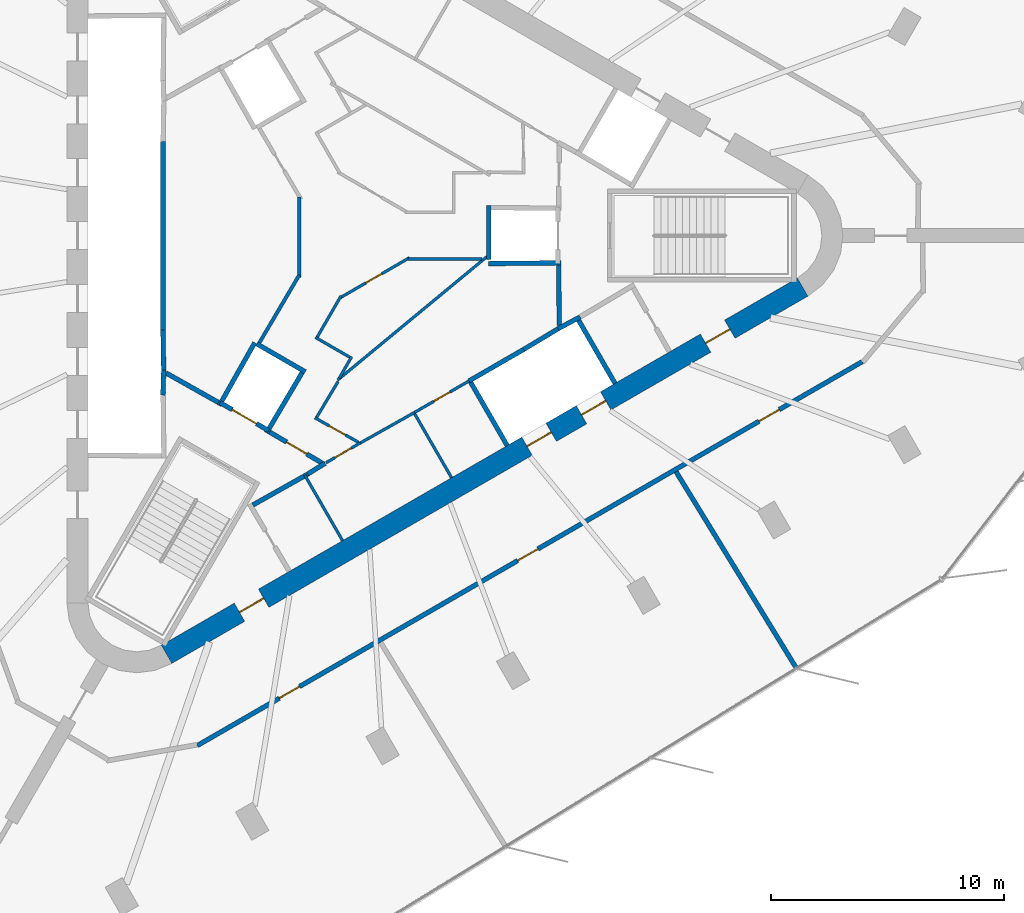
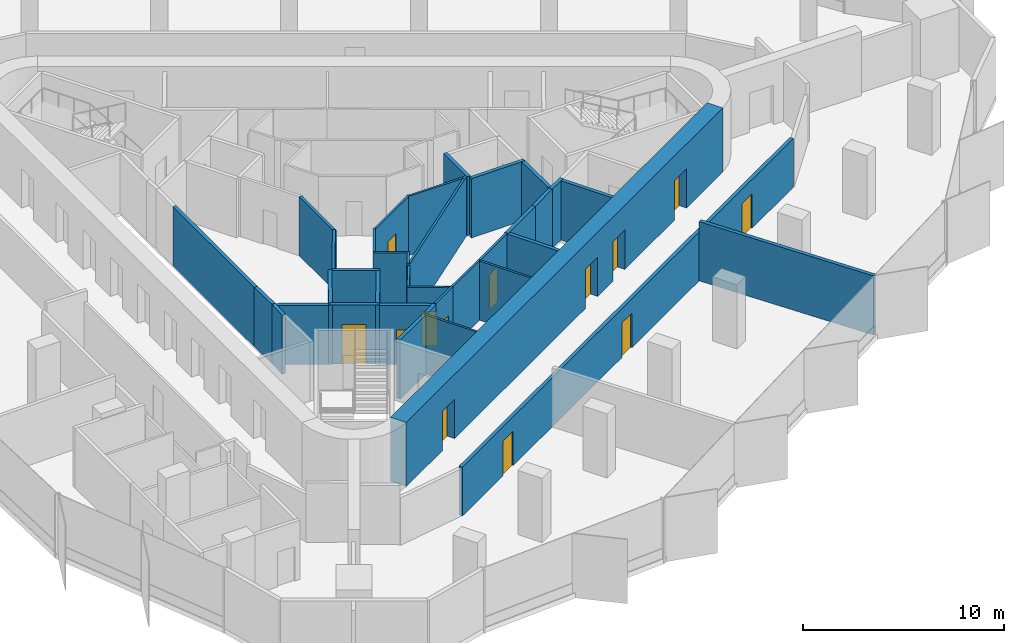
# One storey, part 8 of 12: 37 walls, 13 doors, 13 openings.
"""IFC4 building model written with IfcOpenShell, lengths in metres."""

from ifc_helpers import new_model, si_unit, direction, frame, frame_2d, origin, place, context, subcontext, project, spatial, rectangle, extrude, material, layer, layer_set, type_object, element, fill, save


model = new_model("IFC4")

# Units and contexts
model_context = context("Model", 3, precision=1e-05, world=origin(), true_north=direction((0.0, 1.0)))
body_context = subcontext(model_context, "Body", "Model", "MODEL_VIEW")
ifc_project = project(units=[si_unit("LENGTHUNIT", "METRE"), si_unit("AREAUNIT", "SQUARE_METRE"), si_unit("VOLUMEUNIT", "CUBIC_METRE"), si_unit("PLANEANGLEUNIT", "RADIAN"), si_unit("MASSUNIT", "GRAM", prefix="KILO")], contexts=[model_context])

# Site, building, storey
site_placement = place(None, origin())
site = spatial("IfcSite", under=ifc_project, at=site_placement, CompositionType="ELEMENT")
building_placement = place(site_placement, origin())
building = spatial("IfcBuilding", under=site, at=building_placement, Name="Tanit Gate Tower", CompositionType="ELEMENT")
storey_placement = place(building_placement, frame((0.0, 0.0, 353.300048828125)))
storey = spatial("IfcBuildingStorey", under=building, at=storey_placement, Name="L80", CompositionType="ELEMENT", Elevation=353.300048828125)

# Wall, openings, doors
ifc_material_1 = material(Name="Concrete C40/50", Category="concrete")
ifc_layer_1 = layer(ifc_material_1, 0.89990234375)
ifc_layer_set_1 = layer_set([ifc_layer_1], Name="CORE WALL 900 C40/50")
wall_type_1 = type_object("IfcWallType", Name="CORE WALL 900 C40/50", PredefinedType="SHEAR", material=ifc_layer_set_1)
wall_1_placement = place(storey_placement, frame((-7.824951171875, -17.969970703125, 0.0), z_axis=(0.0, 0.0, 1.0), x_axis=(0.866028369851, 0.499994862586, 0.0)))
wall_1 = element("IfcWall", 1, at=wall_1_placement, inside=storey, type_object=wall_type_1, Name="CORE WALL", PredefinedType="SHEAR", context=body_context, shape_type="SweptSolid", body=[
    extrude(rectangle(XDim=31.523193359375, YDim=0.89990234375, at=frame_2d((15.76171875, 0.0))), origin(), (0.0, 0.0, 1.0), 3.89990234375),
])
opening_1_placement = place(wall_1_placement, frame((17.861572265625, 0.0, 0.0)))
opening_1 = element("IfcOpeningElement", 2, at=opening_1_placement, cuts=wall_1, Name="Opening LDSV1-S22", PredefinedType="OPENING", context=body_context, shape_type="SweptSolid", body=[
    extrude(rectangle(XDim=1.199951171875, YDim=2.39990234375, at=frame_2d((0.60009765625, 1.199951171875))), frame((0.0, 0.4599609375, 0.0), z_axis=(0.0, -1.0, 0.0), x_axis=(1.0, 0.0, 0.0)), (0.0, 0.0, 1.0), 0.919921875),
])
opening_2_placement = place(wall_1_placement, frame((20.561767578125, 0.0, 0.0)))
opening_2 = element("IfcOpeningElement", 3, at=opening_2_placement, cuts=wall_1, Name="Opening LDSV2-S22", PredefinedType="OPENING", context=body_context, shape_type="SweptSolid", body=[
    extrude(rectangle(XDim=1.199951171875, YDim=2.39990234375, at=frame_2d((0.60009765625, 1.199951171875))), frame((0.0, 0.4599609375, 0.0), z_axis=(0.0, -1.0, 0.0), x_axis=(1.0, 0.0, 0.0)), (0.0, 0.0, 1.0), 0.919921875),
])
opening_3_placement = place(wall_1_placement, frame((26.711669921875, 0.0, 0.0)))
opening_3 = element("IfcOpeningElement", 4, at=opening_3_placement, cuts=wall_1, Name="Opening F12-S22-S1", PredefinedType="OPENING", context=body_context, shape_type="SweptSolid", body=[
    extrude(rectangle(XDim=1.199951171875, YDim=2.39990234375, at=frame_2d((0.60009765625, 1.199951171875))), frame((0.0, 0.4599609375, 0.0), z_axis=(0.0, -1.0, 0.0), x_axis=(1.0, 0.0, 0.0)), (0.0, 0.0, 1.0), 0.919921875),
])
opening_4_placement = place(wall_1_placement, frame((3.611572265625, 0.0, 0.0)))
opening_4 = element("IfcOpeningElement", 5, at=opening_4_placement, cuts=wall_1, Name="Opening F12-S22-FL3", PredefinedType="OPENING", context=body_context, shape_type="SweptSolid", body=[
    extrude(rectangle(XDim=1.199951171875, YDim=2.39990234375, at=frame_2d((0.60009765625, 1.199951171875))), frame((0.0, 0.4599609375, 0.0), z_axis=(0.0, -1.0, 0.0), x_axis=(1.0, 0.0, 0.0)), (0.0, 0.0, 1.0), 0.919921875),
])
ifc_material_2 = material(Name="Fire-rated steel door leaf", Category="steel")
door_type_1 = type_object("IfcDoorType", Name="INT-DOOR-FIRE-LOBBY-1200", OperationType="NOTDEFINED", PredefinedType="USERDEFINED", material=ifc_material_2)
door_1_placement = place(opening_3_placement, origin())
door_1 = element("IfcDoor", 6, at=door_1_placement, inside=storey, type_object=door_type_1, Name="Door F12-S22-S1", ObjectType="FIRE DOOR", OperationType="SINGLE_SWING_RIGHT", OverallHeight=2.39990234375, OverallWidth=1.199951171875, PredefinedType="USERDEFINED", context=body_context, shape_type="SweptSolid", body=[
    extrude(rectangle(XDim=1.199951171875, YDim=2.39990234375, at=frame_2d((0.60009765625, 1.199951171875))), frame((0.0, 0.02490234375, 0.0), z_axis=(0.0, -1.0, 0.0), x_axis=(1.0, 0.0, 0.0)), (0.0, 0.0, 1.0), 0.050048828125),
])
fill(opening_3, door_1)
door_2_placement = place(opening_4_placement, origin())
door_2 = element("IfcDoor", 7, at=door_2_placement, inside=storey, type_object=door_type_1, Name="Door F12-S22-FL3", ObjectType="FIRE DOOR", OperationType="SINGLE_SWING_LEFT", OverallHeight=2.39990234375, OverallWidth=1.199951171875, PredefinedType="USERDEFINED", context=body_context, shape_type="SweptSolid", body=[
    extrude(rectangle(XDim=1.199951171875, YDim=2.39990234375, at=frame_2d((0.60009765625, 1.199951171875))), frame((0.0, 0.02490234375, 0.0), z_axis=(0.0, -1.0, 0.0), x_axis=(1.0, 0.0, 0.0)), (0.0, 0.0, 1.0), 0.050048828125),
])
fill(opening_4, door_2)
ifc_material_3 = material(Name="Stainless steel sliding door leaf", Category="steel")
door_type_2 = type_object("IfcDoorType", Name="INT-DOOR-LANDING-1200", OperationType="NOTDEFINED", PredefinedType="USERDEFINED", material=ifc_material_3)
door_3_placement = place(opening_1_placement, origin())
door_3 = element("IfcDoor", 8, at=door_3_placement, inside=storey, type_object=door_type_2, Name="Door LDSV1-S22", ObjectType="LANDING DOOR", OperationType="SLIDING_TO_LEFT", OverallHeight=2.39990234375, OverallWidth=1.199951171875, PredefinedType="USERDEFINED", context=body_context, shape_type="SweptSolid", body=[
    extrude(rectangle(XDim=1.199951171875, YDim=2.39990234375, at=frame_2d((0.60009765625, 1.199951171875))), frame((0.0, 0.02490234375, 0.0), z_axis=(0.0, -1.0, 0.0), x_axis=(1.0, 0.0, 0.0)), (0.0, 0.0, 1.0), 0.050048828125),
])
fill(opening_1, door_3)
door_4_placement = place(opening_2_placement, origin())
door_4 = element("IfcDoor", 9, at=door_4_placement, inside=storey, type_object=door_type_2, Name="Door LDSV2-S22", ObjectType="LANDING DOOR", OperationType="SLIDING_TO_LEFT", OverallHeight=2.39990234375, OverallWidth=1.199951171875, PredefinedType="USERDEFINED", context=body_context, shape_type="SweptSolid", body=[
    extrude(rectangle(XDim=1.199951171875, YDim=2.39990234375, at=frame_2d((0.60009765625, 1.199951171875))), frame((0.0, 0.02490234375, 0.0), z_axis=(0.0, -1.0, 0.0), x_axis=(1.0, 0.0, 0.0)), (0.0, 0.0, 1.0), 0.050048828125),
])
fill(opening_2, door_4)

# Walls
ifc_material_4 = material(Name="Fire-rated gypsum board partition")
ifc_layer_2 = layer(ifc_material_4, 0.199951171875)
ifc_layer_set_2 = layer_set([ifc_layer_2], Name="INT-WALL-COMPARTMENT")
wall_type_2 = type_object("IfcWallType", Name="INT-WALL-COMPARTMENT", PredefinedType="PARTITIONING", material=ifc_layer_set_2)
wall_2_placement = place(storey_placement, frame((-1.7685546875, -10.23681640625, 0.0), z_axis=(0.0, 0.0, 1.0), x_axis=(-0.871534483978, -0.490334215854, 0.0)))
element("IfcWall", 10, at=wall_2_placement, inside=storey, type_object=wall_type_2, Name="Wall Compartment W054", PredefinedType="PARTITIONING", context=body_context, shape_type="SweptSolid", body=[
    extrude(rectangle(XDim=2.7001953125, YDim=0.199951171875, at=frame_2d((1.35009765625, 0.0))), origin(), (0.0, 0.0, 1.0), 3.599853515625),
])
wall_3_placement = place(storey_placement, frame((-1.02392578125, -9.77099609375, 0.0), z_axis=(0.0, 0.0, 1.0), x_axis=(-0.850348075135, -0.526220629693, 0.0)))
element("IfcWall", 11, at=wall_3_placement, inside=storey, type_object=wall_type_2, Name="Wall Compartment W056", PredefinedType="PARTITIONING", context=body_context, shape_type="SweptSolid", body=[
    extrude(rectangle(XDim=0.878173828125, YDim=0.199951171875, at=frame_2d((0.43896484375, 0.0))), origin(), (0.0, 0.0, 1.0), 3.599853515625),
])
for number, where, z_axis, x_axis, name in (
    (12, (9.02880859375, -3.8505859375, 0.0), (0.0, 0.0, 1.0), (-0.010784614026, 0.999941844359, 0.0), "Wall Compartment W062"),
    (13, (-7.84912109375, -5.893798828125, 0.0), (0.0, 0.0, 1.0), (0.871340486379, -0.490678873396, 0.0), "Wall Compartment W066"),
):
    element("IfcWall", number, at=place(storey_placement, frame(where, z_axis=z_axis, x_axis=x_axis)), inside=storey, type_object=wall_type_2, Name=name, PredefinedType="PARTITIONING", context=body_context, shape_type="SweptSolid", body=[
        extrude(rectangle(XDim=2.580810546875, YDim=0.199951171875, at=frame_2d((1.29052734375, 0.0))), origin(), (0.0, 0.0, 1.0), 3.599853515625),
    ])

# Wall, opening, door
wall_4_placement = place(storey_placement, frame((-3.400634765625, -8.43017578125, 0.0), z_axis=(0.0, 0.0, 1.0), x_axis=(0.860617791406, -0.509251428192, 0.0)))
wall_4 = element("IfcWall", 14, at=wall_4_placement, inside=storey, type_object=wall_type_2, Name="Wall Compartment W067", PredefinedType="PARTITIONING", context=body_context, shape_type="SweptSolid", body=[
    extrude(rectangle(XDim=2.709228515625, YDim=0.199951171875, at=frame_2d((1.3544921875, 0.0))), origin(), (0.0, 0.0, 1.0), 3.599853515625),
])
opening_5_placement = place(wall_4_placement, frame((0.848388671875, 0.0, 0.0)))
opening_5 = element("IfcOpeningElement", 15, at=opening_5_placement, cuts=wall_4, Name="Opening F10-S22-08", PredefinedType="OPENING", context=body_context, shape_type="SweptSolid", body=[
    extrude(rectangle(XDim=1.0, YDim=2.10009765625, at=frame_2d((0.5, 1.050048828125))), frame((0.0, 0.10986328125, 0.0), z_axis=(0.0, -1.0, 0.0), x_axis=(1.0, 0.0, 0.0)), (0.0, 0.0, 1.0), 0.219970703125),
])
ifc_material_5 = material(Name="Fire-rated steel door leaf", Category="steel")
door_type_3 = type_object("IfcDoorType", Name="INT-DOOR-FIRE-1000", OperationType="NOTDEFINED", PredefinedType="USERDEFINED", material=ifc_material_5)
door_5_placement = place(opening_5_placement, origin())
door_5 = element("IfcDoor", 16, at=door_5_placement, inside=storey, type_object=door_type_3, Name="Door F10-S22-08", ObjectType="FIRE DOOR", OperationType="SINGLE_SWING_RIGHT", OverallHeight=2.10009765625, OverallWidth=1.0, PredefinedType="USERDEFINED", context=body_context, shape_type="SweptSolid", body=[
    extrude(rectangle(XDim=1.0, YDim=2.10009765625, at=frame_2d((0.5, 1.050048828125))), frame((0.0, 0.02490234375, 0.0), z_axis=(0.0, -1.0, 0.0), x_axis=(1.0, 0.0, 0.0)), (0.0, 0.0, 1.0), 0.050048828125),
])
fill(opening_5, door_5)

# Wall, openings, doors
wall_5_placement = place(storey_placement, frame((-6.505126953125, -21.884521484375, 0.0), z_axis=(0.0, 0.0, 1.0), x_axis=(0.86602457258, 0.500001439686, 0.0)))
wall_5 = element("IfcWall", 17, at=wall_5_placement, inside=storey, type_object=wall_type_2, Name="Wall Compartment W114", PredefinedType="PARTITIONING", context=body_context, shape_type="SweptSolid", body=[
    extrude(rectangle(XDim=32.95166015625, YDim=0.199951171875, at=frame_2d((16.475830078125, 0.0))), origin(), (0.0, 0.0, 1.0), 2.969970703125),
])
opening_6_placement = place(wall_5_placement, frame((27.838623046875, 0.0, 0.0)))
opening_6 = element("IfcOpeningElement", 18, at=opening_6_placement, cuts=wall_5, Name="Opening F10-S22-29", PredefinedType="OPENING", context=body_context, shape_type="SweptSolid", body=[
    extrude(rectangle(XDim=1.0, YDim=2.10009765625, at=frame_2d((0.5, 1.050048828125))), frame((0.0, 0.10986328125, 0.0), z_axis=(0.0, -1.0, 0.0), x_axis=(1.0, 0.0, 0.0)), (0.0, 0.0, 1.0), 0.219970703125),
])
opening_7_placement = place(wall_5_placement, frame((15.87255859375, 0.0, 0.0)))
opening_7 = element("IfcOpeningElement", 19, at=opening_7_placement, cuts=wall_5, Name="Opening F10-S22-30", PredefinedType="OPENING", context=body_context, shape_type="SweptSolid", body=[
    extrude(rectangle(XDim=1.0, YDim=2.10009765625, at=frame_2d((0.5, 1.050048828125))), frame((0.0, 0.10986328125, 0.0), z_axis=(0.0, -1.0, 0.0), x_axis=(1.0, 0.0, 0.0)), (0.0, 0.0, 1.0), 0.219970703125),
])
opening_8_placement = place(wall_5_placement, frame((4.0595703125, 0.0, 0.0)))
opening_8 = element("IfcOpeningElement", 20, at=opening_8_placement, cuts=wall_5, Name="Opening F10-S22-31", PredefinedType="OPENING", context=body_context, shape_type="SweptSolid", body=[
    extrude(rectangle(XDim=1.0, YDim=2.10009765625, at=frame_2d((0.5, 1.050048828125))), frame((0.0, 0.10986328125, 0.0), z_axis=(0.0, -1.0, 0.0), x_axis=(1.0, 0.0, 0.0)), (0.0, 0.0, 1.0), 0.219970703125),
])
door_6_placement = place(opening_6_placement, origin())
door_6 = element("IfcDoor", 21, at=door_6_placement, inside=storey, type_object=door_type_3, Name="Door F10-S22-29", ObjectType="FIRE DOOR", OperationType="SINGLE_SWING_LEFT", OverallHeight=2.10009765625, OverallWidth=1.0, PredefinedType="USERDEFINED", context=body_context, shape_type="SweptSolid", body=[
    extrude(rectangle(XDim=1.0, YDim=2.10009765625, at=frame_2d((0.5, 1.050048828125))), frame((0.0, 0.02490234375, 0.0), z_axis=(0.0, -1.0, 0.0), x_axis=(1.0, 0.0, 0.0)), (0.0, 0.0, 1.0), 0.050048828125),
])
fill(opening_6, door_6)
door_7_placement = place(opening_7_placement, origin())
door_7 = element("IfcDoor", 22, at=door_7_placement, inside=storey, type_object=door_type_3, Name="Door F10-S22-30", ObjectType="FIRE DOOR", OperationType="SINGLE_SWING_LEFT", OverallHeight=2.10009765625, OverallWidth=1.0, PredefinedType="USERDEFINED", context=body_context, shape_type="SweptSolid", body=[
    extrude(rectangle(XDim=1.0, YDim=2.10009765625, at=frame_2d((0.5, 1.050048828125))), frame((0.0, 0.02490234375, 0.0), z_axis=(0.0, -1.0, 0.0), x_axis=(1.0, 0.0, 0.0)), (0.0, 0.0, 1.0), 0.050048828125),
])
fill(opening_7, door_7)
door_8_placement = place(opening_8_placement, origin())
door_8 = element("IfcDoor", 23, at=door_8_placement, inside=storey, type_object=door_type_3, Name="Door F10-S22-31", ObjectType="FIRE DOOR", OperationType="SINGLE_SWING_LEFT", OverallHeight=2.10009765625, OverallWidth=1.0, PredefinedType="USERDEFINED", context=body_context, shape_type="SweptSolid", body=[
    extrude(rectangle(XDim=1.0, YDim=2.10009765625, at=frame_2d((0.5, 1.050048828125))), frame((0.0, 0.02490234375, 0.0), z_axis=(0.0, -1.0, 0.0), x_axis=(1.0, 0.0, 0.0)), (0.0, 0.0, 1.0), 0.050048828125),
])
fill(opening_8, door_8)

# Walls
wall_6_placement = place(storey_placement, frame((14.04248046875, -10.13671875, 0.0), z_axis=(0.0, 0.0, 1.0), x_axis=(0.522290974672, -0.852767340941, 0.0)))
element("IfcWall", 24, at=wall_6_placement, inside=storey, type_object=wall_type_2, Name="Wall Compartment W133", PredefinedType="PARTITIONING", context=body_context, shape_type="SweptSolid", body=[
    extrude(rectangle(XDim=9.884521484375, YDim=0.199951171875, at=frame_2d((4.9423828125, 0.0))), origin(), (0.0, 0.0, 1.0), 3.599853515625),
])
ifc_material_6 = material(Name="Gypsum board partition")
ifc_layer_3 = layer(ifc_material_6, 0.1201171875)
ifc_layer_set_3 = layer_set([ifc_layer_3], Name="INT-WALL-PARTITION")
wall_type_3 = type_object("IfcWallType", Name="INT-WALL-PARTITION", PredefinedType="PARTITIONING", material=ifc_layer_set_3)
for number, where, z_axis, x_axis, name in (
    (25, (-1.896728515625, -10.27490234375, 0.0), (0.0, 0.0, 1.0), (0.499984717929, -0.866034226713, 0.0), "Wall Partition W052"),
    (26, (4.40478515625, -10.389404296875, 0.0), (0.0, 0.0, 1.0), (-0.500017246033, 0.866015446554, 0.0), "Wall Partition W055"),
):
    element("IfcWall", number, at=place(storey_placement, frame(where, z_axis=z_axis, x_axis=x_axis)), inside=storey, type_object=wall_type_3, Name=name, PredefinedType="PARTITIONING", context=body_context, shape_type="SweptSolid", body=[
        extrude(rectangle(XDim=3.25, YDim=0.1201171875, at=frame_2d((1.625, 0.0))), origin(), (0.0, 0.0, 1.0), 3.599853515625),
    ])
wall_7_placement = place(storey_placement, frame((0.493896484375, -8.895751953125, 0.0), z_axis=(0.0, 0.0, 1.0), x_axis=(0.871426548871, 0.490526013503, 0.0)))
element("IfcWall", 27, at=wall_7_placement, inside=storey, type_object=wall_type_3, Name="Wall Partition W057", PredefinedType="PARTITIONING", context=body_context, shape_type="SweptSolid", body=[
    extrude(rectangle(XDim=2.670166015625, YDim=0.1201171875, at=frame_2d((1.3349609375, 0.0))), origin(), (0.0, 0.0, 1.0), 3.599853515625),
])

# Wall, opening, door
wall_8_placement = place(storey_placement, frame((0.493408203125, -8.89501953125, 0.0), z_axis=(0.0, 0.0, 1.0), x_axis=(-0.866027945518, -0.499995597562, 0.0)))
wall_8 = element("IfcWall", 28, at=wall_8_placement, inside=storey, type_object=wall_type_3, Name="Wall Partition W058", PredefinedType="PARTITIONING", context=body_context, shape_type="SweptSolid", body=[
    extrude(rectangle(XDim=1.7021484375, YDim=0.1201171875, at=frame_2d((0.85107421875, 0.0))), origin(), (0.0, 0.0, 1.0), 3.599853515625),
])
opening_9_placement = place(wall_8_placement, frame((0.461181640625, 0.0, 0.0)))
opening_9 = element("IfcOpeningElement", 29, at=opening_9_placement, cuts=wall_8, Name="Opening R08-S22-18", PredefinedType="OPENING", context=body_context, shape_type="SweptSolid", body=[
    extrude(rectangle(XDim=0.800048828125, YDim=2.10009765625, at=frame_2d((0.39990234375, 1.050048828125))), frame((0.0, 0.070068359375, 0.0), z_axis=(0.0, -1.0, 0.0), x_axis=(1.0, 0.0, 0.0)), (0.0, 0.0, 1.0), 0.14013671875),
])
ifc_material_7 = material(Name="Timber door leaf", Category="wood")
door_type_4 = type_object("IfcDoorType", Name="INT-DOOR-RISER-800", OperationType="NOTDEFINED", PredefinedType="USERDEFINED", material=ifc_material_7)
door_9_placement = place(opening_9_placement, origin())
door_9 = element("IfcDoor", 30, at=door_9_placement, inside=storey, type_object=door_type_4, Name="Door R08-S22-18", ObjectType="FIRE DOOR", OperationType="SINGLE_SWING_RIGHT", OverallHeight=2.10009765625, OverallWidth=0.800048828125, PredefinedType="USERDEFINED", context=body_context, shape_type="SweptSolid", body=[
    extrude(rectangle(XDim=0.800048828125, YDim=2.10009765625, at=frame_2d((0.39990234375, 1.050048828125))), frame((0.0, 0.02490234375, 0.0), z_axis=(0.0, -1.0, 0.0), x_axis=(1.0, 0.0, 0.0)), (0.0, 0.0, 1.0), 0.050048828125),
])
fill(opening_9, door_9)

wall_9_placement = place(storey_placement, frame((2.82080078125, -7.5859375, 0.0), z_axis=(0.0, 0.0, 1.0), x_axis=(0.866019956843, 0.50000943426, 0.0)))
wall_9 = element("IfcWall", 31, at=wall_9_placement, inside=storey, type_object=wall_type_3, Name="Wall Partition W059", PredefinedType="PARTITIONING", context=body_context, shape_type="SweptSolid", body=[
    extrude(rectangle(XDim=2.7001953125, YDim=0.1201171875, at=frame_2d((1.35009765625, 0.0))), origin(), (0.0, 0.0, 1.0), 3.599853515625),
])
opening_10_placement = place(wall_9_placement, frame((0.949951171875, 0.0, 0.0)))
opening_10 = element("IfcOpeningElement", 32, at=opening_10_placement, cuts=wall_9, Name="Opening R08-S22-19", PredefinedType="OPENING", context=body_context, shape_type="SweptSolid", body=[
    extrude(rectangle(XDim=0.800048828125, YDim=2.10009765625, at=frame_2d((0.39990234375, 1.050048828125))), frame((0.0, 0.070068359375, 0.0), z_axis=(0.0, -1.0, 0.0), x_axis=(1.0, 0.0, 0.0)), (0.0, 0.0, 1.0), 0.14013671875),
])
door_10_placement = place(opening_10_placement, origin())
door_10 = element("IfcDoor", 33, at=door_10_placement, inside=storey, type_object=door_type_4, Name="Door R08-S22-19", ObjectType="FIRE DOOR", OperationType="SINGLE_SWING_RIGHT", OverallHeight=2.10009765625, OverallWidth=0.800048828125, PredefinedType="USERDEFINED", context=body_context, shape_type="SweptSolid", body=[
    extrude(rectangle(XDim=0.800048828125, YDim=2.10009765625, at=frame_2d((0.39990234375, 1.050048828125))), frame((0.0, 0.02490234375, 0.0), z_axis=(0.0, -1.0, 0.0), x_axis=(1.0, 0.0, 0.0)), (0.0, 0.0, 1.0), 0.050048828125),
])
fill(opening_10, door_10)

# Walls
wall_10_placement = place(storey_placement, frame((5.935546875, -0.893798828125, 0.0), z_axis=(0.0, 0.0, 1.0), x_axis=(-0.770832870475, -0.637037428881, 0.0)))
element("IfcWall", 34, at=wall_10_placement, inside=storey, type_object=wall_type_3, Name="Wall Partition W071", PredefinedType="PARTITIONING", context=body_context, shape_type="SweptSolid", body=[
    extrude(rectangle(XDim=8.331787109375, YDim=0.1201171875, at=frame_2d((4.166015625, 0.0))), origin(), (0.0, 0.0, 1.0), 3.599853515625),
])
wall_11_placement = place(storey_placement, frame((-0.41064453125, -6.111328125, 0.0), z_axis=(0.0, 0.0, 1.0), x_axis=(0.49986229611, 0.866104892567, 0.0)))
element("IfcWall", 35, at=wall_11_placement, inside=storey, type_object=wall_type_3, Name="Wall Partition W072", PredefinedType="PARTITIONING", context=body_context, shape_type="SweptSolid", body=[
    extrude(rectangle(XDim=1.057861328125, YDim=0.1201171875, at=frame_2d((0.52880859375, 0.0))), origin(), (0.0, 0.0, 1.0), 3.599853515625),
])
wall_12_placement = place(storey_placement, frame((-1.43603515625, -4.3671875, 0.0), z_axis=(0.0, 0.0, 1.0), x_axis=(0.866087547558, -0.499892348375, 0.0)))
element("IfcWall", 36, at=wall_12_placement, inside=storey, type_object=wall_type_3, Name="Wall Partition W073", PredefinedType="PARTITIONING", context=body_context, shape_type="SweptSolid", body=[
    extrude(rectangle(XDim=1.699951171875, YDim=0.1201171875, at=frame_2d((0.85009765625, 0.0))), origin(), (0.0, 0.0, 1.0), 3.599853515625),
])
wall_13_placement = place(storey_placement, frame((-0.337646484375, -2.5849609375, 0.0), z_axis=(0.0, 0.0, 1.0), x_axis=(-0.50002743572, -0.866009563185, 0.0)))
element("IfcWall", 37, at=wall_13_placement, inside=storey, type_object=wall_type_3, Name="Wall Partition W074", PredefinedType="PARTITIONING", context=body_context, shape_type="SweptSolid", body=[
    extrude(rectangle(XDim=2.03271484375, YDim=0.1201171875, at=frame_2d((1.016357421875, 0.0))), origin(), (0.0, 0.0, 1.0), 3.599853515625),
])

# Wall, opening, door
wall_14_placement = place(storey_placement, frame((2.6015625, -0.947998046875, 0.0), z_axis=(0.0, 0.0, 1.0), x_axis=(-0.86601279846, -0.500021832428, 0.0)))
wall_14 = element("IfcWall", 38, at=wall_14_placement, inside=storey, type_object=wall_type_3, Name="Wall Partition W075", PredefinedType="PARTITIONING", context=body_context, shape_type="SweptSolid", body=[
    extrude(rectangle(XDim=3.435302734375, YDim=0.1201171875, at=frame_2d((1.7177734375, 0.0))), origin(), (0.0, 0.0, 1.0), 3.599853515625),
])
opening_11_placement = place(wall_14_placement, frame((1.36962890625, 0.0, 0.0)))
opening_11 = element("IfcOpeningElement", 39, at=opening_11_placement, cuts=wall_14, Name="Opening R08-S22-11", PredefinedType="OPENING", context=body_context, shape_type="SweptSolid", body=[
    extrude(rectangle(XDim=0.800048828125, YDim=2.10009765625, at=frame_2d((0.39990234375, 1.050048828125))), frame((0.0, 0.070068359375, 0.0), z_axis=(0.0, -1.0, 0.0), x_axis=(1.0, 0.0, 0.0)), (0.0, 0.0, 1.0), 0.14013671875),
])
door_11_placement = place(opening_11_placement, origin())
door_11 = element("IfcDoor", 40, at=door_11_placement, inside=storey, type_object=door_type_4, Name="Door R08-S22-11", ObjectType="FIRE DOOR", OperationType="SINGLE_SWING_LEFT", OverallHeight=2.10009765625, OverallWidth=0.800048828125, PredefinedType="USERDEFINED", context=body_context, shape_type="SweptSolid", body=[
    extrude(rectangle(XDim=0.800048828125, YDim=2.10009765625, at=frame_2d((0.39990234375, 1.050048828125))), frame((0.0, 0.02490234375, 0.0), z_axis=(0.0, -1.0, 0.0), x_axis=(1.0, 0.0, 0.0)), (0.0, 0.0, 1.0), 0.050048828125),
])
fill(opening_11, door_11)

# Wall
wall_15_placement = place(storey_placement, frame((5.712646484375, -1.0, 0.0), z_axis=(0.0, 0.0, 1.0), x_axis=(-1.0, 0.0, 0.0)))
element("IfcWall", 41, at=wall_15_placement, inside=storey, type_object=wall_type_3, Name="Wall Partition W076", PredefinedType="PARTITIONING", context=body_context, shape_type="SweptSolid", body=[
    extrude(rectangle(XDim=3.1826171875, YDim=0.1201171875, at=frame_2d((1.59130859375, 0.0))), origin(), (0.0, 0.0, 1.0), 3.599853515625),
])

# Wall, opening, door
wall_16_placement = place(storey_placement, frame((-1.464111328125, -7.81591796875, 0.0), z_axis=(0.0, 0.0, 1.0), x_axis=(0.871859859416, -0.489755434416, 0.0)))
wall_16 = element("IfcWall", 42, at=wall_16_placement, inside=storey, type_object=wall_type_3, Name="Wall Partition W077", PredefinedType="PARTITIONING", context=body_context, shape_type="SweptSolid", body=[
    extrude(rectangle(XDim=2.154541015625, YDim=0.1201171875, at=frame_2d((1.0771484375, 0.0))), origin(), (0.0, 0.0, 1.0), 3.599853515625),
])
opening_12_placement = place(wall_16_placement, frame((0.707275390625, 0.0, 0.0)))
opening_12 = element("IfcOpeningElement", 43, at=opening_12_placement, cuts=wall_16, Name="Opening R08-S22-12", PredefinedType="OPENING", context=body_context, shape_type="SweptSolid", body=[
    extrude(rectangle(XDim=0.800048828125, YDim=2.10009765625, at=frame_2d((0.39990234375, 1.050048828125))), frame((0.0, 0.070068359375, 0.0), z_axis=(0.0, -1.0, 0.0), x_axis=(1.0, 0.0, 0.0)), (0.0, 0.0, 1.0), 0.14013671875),
])
door_12_placement = place(opening_12_placement, origin())
door_12 = element("IfcDoor", 44, at=door_12_placement, inside=storey, type_object=door_type_4, Name="Door R08-S22-12", ObjectType="FIRE DOOR", OperationType="SINGLE_SWING_LEFT", OverallHeight=2.10009765625, OverallWidth=0.800048828125, PredefinedType="USERDEFINED", context=body_context, shape_type="SweptSolid", body=[
    extrude(rectangle(XDim=0.800048828125, YDim=2.10009765625, at=frame_2d((0.39990234375, 1.050048828125))), frame((0.0, 0.02490234375, 0.0), z_axis=(0.0, -1.0, 0.0), x_axis=(1.0, 0.0, 0.0)), (0.0, 0.0, 1.0), 0.050048828125),
])
fill(opening_12, door_12)

# Walls
wall_17_placement = place(storey_placement, frame((-0.46337890625, -6.256591796875, 0.0), z_axis=(0.0, 0.0, 1.0), x_axis=(-0.512528878122, -0.858669988466, 0.0)))
element("IfcWall", 45, at=wall_17_placement, inside=storey, type_object=wall_type_3, Name="Wall Partition W078", PredefinedType="PARTITIONING", context=body_context, shape_type="SweptSolid", body=[
    extrude(rectangle(XDim=1.7900390625, YDim=0.1201171875, at=frame_2d((0.89501953125, 0.0))), origin(), (0.0, 0.0, 1.0), 3.599853515625),
])
ifc_material_8 = material(Name="Fire-rated gypsum board partition")
ifc_layer_4 = layer(ifc_material_8, 0.14990234375)
ifc_layer_set_4 = layer_set([ifc_layer_4], Name="INT-WALL-RISER")
wall_type_4 = type_object("IfcWallType", Name="INT-WALL-RISER", PredefinedType="PLUMBINGWALL", material=ifc_layer_set_4)
wall_18_placement = place(storey_placement, frame((-2.121826171875, -1.802490234375, 0.0), z_axis=(0.0, 0.0, 1.0), x_axis=(0.0, 1.0, 0.0)))
element("IfcWall", 46, at=wall_18_placement, inside=storey, type_object=wall_type_4, Name="Wall Riser W069", PredefinedType="PLUMBINGWALL", context=body_context, shape_type="SweptSolid", body=[
    extrude(rectangle(XDim=3.453857421875, YDim=0.14990234375, at=frame_2d((1.72705078125, 0.0))), origin(), (0.0, 0.0, 1.0), 3.599853515625),
])
wall_19_placement = place(storey_placement, frame((-3.8408203125, -4.59521484375, 0.0), z_axis=(0.0, 0.0, 1.0), x_axis=(0.507318157939, 0.861758833216, 0.0)))
element("IfcWall", 47, at=wall_19_placement, inside=storey, type_object=wall_type_4, Name="Wall Riser W070", PredefinedType="PLUMBINGWALL", context=body_context, shape_type="SweptSolid", body=[
    extrude(rectangle(XDim=3.36474609375, YDim=0.14990234375, at=frame_2d((1.682373046875, 0.0))), origin(), (0.0, 0.0, 1.0), 3.599853515625),
])
ifc_material_9 = material(Name="Gypsum shaft wall system")
ifc_layer_5 = layer(ifc_material_9, 0.199951171875)
ifc_layer_set_5 = layer_set([ifc_layer_5], Name="INT-WALL-SHAFT")
wall_type_5 = type_object("IfcWallType", Name="INT-WALL-SHAFT", PredefinedType="PLUMBINGWALL", material=ifc_layer_set_5)
wall_20_placement = place(storey_placement, frame((-7.97998046875, 4.050048828125, 0.0), z_axis=(0.0, 0.0, 1.0), x_axis=(0.0, -1.0, 0.0)))
element("IfcWall", 48, at=wall_20_placement, inside=storey, type_object=wall_type_5, Name="Wall Shaft W005", PredefinedType="PLUMBINGWALL", context=body_context, shape_type="SweptSolid", body=[
    extrude(rectangle(XDim=8.10009765625, YDim=0.199951171875, at=frame_2d((4.050048828125, 0.0))), origin(), (0.0, 0.0, 1.0), 3.599853515625),
])
wall_21_placement = place(storey_placement, frame((-7.949951171875, -5.7724609375, 0.0), z_axis=(0.0, 0.0, 1.0), x_axis=(-0.030803413295, -0.999525462272, 0.0)))
element("IfcWall", 49, at=wall_21_placement, inside=storey, type_object=wall_type_5, Name="Wall Shaft W008", PredefinedType="PLUMBINGWALL", context=body_context, shape_type="SweptSolid", body=[
    extrude(rectangle(XDim=1.077880859375, YDim=0.199951171875, at=frame_2d((0.5390625, 0.0))), origin(), (0.0, 0.0, 1.0), 3.599853515625),
])
wall_22_placement = place(storey_placement, frame((-7.97998046875, -4.050048828125, 0.0), z_axis=(0.0, 0.0, 1.0), x_axis=(0.016809909365, -0.999858703491, 0.0)))
element("IfcWall", 50, at=wall_22_placement, inside=storey, type_object=wall_type_5, Name="Wall Shaft W009", PredefinedType="PLUMBINGWALL", context=body_context, shape_type="SweptSolid", body=[
    extrude(rectangle(XDim=1.844482421875, YDim=0.199951171875, at=frame_2d((0.92236328125, 0.0))), origin(), (0.0, 0.0, 1.0), 3.599853515625),
])
wall_23_placement = place(storey_placement, frame((6.795166015625, -9.009521484375, 0.0), z_axis=(0.0, 0.0, 1.0), x_axis=(-0.499984717929, 0.866034226713, 0.0)))
element("IfcWall", 51, at=wall_23_placement, inside=storey, type_object=wall_type_5, Name="Wall Shaft W015", PredefinedType="PLUMBINGWALL", context=body_context, shape_type="SweptSolid", body=[
    extrude(rectangle(XDim=3.25, YDim=0.199951171875, at=frame_2d((1.625, 0.0))), origin(), (0.0, 0.0, 1.0), 3.599853515625),
])
wall_24_placement = place(storey_placement, frame((5.1591796875, -6.23583984375, 0.0), z_axis=(0.0, 0.0, 1.0), x_axis=(0.866036505625, 0.499980770555, 0.0)))
element("IfcWall", 52, at=wall_24_placement, inside=storey, type_object=wall_type_5, Name="Wall Shaft W016", PredefinedType="PLUMBINGWALL", context=body_context, shape_type="SweptSolid", body=[
    extrude(rectangle(XDim=2.69970703125, YDim=0.199951171875, at=frame_2d((1.349853515625, 0.0))), origin(), (0.0, 0.0, 1.0), 3.599853515625),
])
wall_25_placement = place(storey_placement, frame((9.794677734375, -3.52490234375, 0.0), z_axis=(0.0, 0.0, 1.0), x_axis=(0.499984717929, -0.866034226713, 0.0)))
element("IfcWall", 53, at=wall_25_placement, inside=storey, type_object=wall_type_5, Name="Wall Shaft W017", PredefinedType="PLUMBINGWALL", context=body_context, shape_type="SweptSolid", body=[
    extrude(rectangle(XDim=3.25, YDim=0.199951171875, at=frame_2d((1.625, 0.0))), origin(), (0.0, 0.0, 1.0), 3.599853515625),
])
wall_26_placement = place(storey_placement, frame((8.97412109375, -3.998779296875, 0.0), z_axis=(0.0, 0.0, 1.0), x_axis=(0.880907015104, 0.473289373154, 0.0)))
element("IfcWall", 54, at=wall_26_placement, inside=storey, type_object=wall_type_5, Name="Wall Shaft W018", PredefinedType="PLUMBINGWALL", context=body_context, shape_type="SweptSolid", body=[
    extrude(rectangle(XDim=1.078125, YDim=0.199951171875, at=frame_2d((0.5390625, 0.0))), origin(), (0.0, 0.0, 1.0), 3.599853515625),
])
wall_27_placement = place(storey_placement, frame((7.497314453125, -4.885986328125, 0.0), z_axis=(0.0, 0.0, 1.0), x_axis=(0.857516281273, 0.51445682749, 0.0)))
element("IfcWall", 55, at=wall_27_placement, inside=storey, type_object=wall_type_5, Name="Wall Shaft W019", PredefinedType="PLUMBINGWALL", context=body_context, shape_type="SweptSolid", body=[
    extrude(rectangle(XDim=1.8447265625, YDim=0.199951171875, at=frame_2d((0.92236328125, 0.0))), origin(), (0.0, 0.0, 1.0), 3.599853515625),
])
wall_28_placement = place(storey_placement, frame((9.10009765625, -1.1689453125, 0.0), z_axis=(0.0, 0.0, 1.0), x_axis=(-0.999949988, -0.010001074852, 0.0)))
element("IfcWall", 56, at=wall_28_placement, inside=storey, type_object=wall_type_5, Name="Wall Shaft W025", PredefinedType="PLUMBINGWALL", context=body_context, shape_type="SweptSolid", body=[
    extrude(rectangle(XDim=3.100341796875, YDim=0.199951171875, at=frame_2d((1.55029296875, 0.0))), origin(), (0.0, 0.0, 1.0), 3.599853515625),
])
wall_29_placement = place(storey_placement, frame((6.0, -1.029541015625, 0.0), z_axis=(0.0, 0.0, 1.0), x_axis=(0.0, 1.0, 0.0)))
element("IfcWall", 57, at=wall_29_placement, inside=storey, type_object=wall_type_5, Name="Wall Shaft W026", PredefinedType="PLUMBINGWALL", context=body_context, shape_type="SweptSolid", body=[
    extrude(rectangle(XDim=2.32958984375, YDim=0.199951171875, at=frame_2d((1.164794921875, 0.0))), origin(), (0.0, 0.0, 1.0), 3.599853515625),
])

# Wall, opening, door
wall_30_placement = place(storey_placement, frame((-3.44580078125, -8.3681640625, 0.0), z_axis=(0.0, 0.0, 1.0), x_axis=(-0.866024647952, 0.500001309137, 0.0)))
wall_30 = element("IfcWall", 58, at=wall_30_placement, inside=storey, type_object=wall_type_5, Name="Wall Shaft W040", PredefinedType="PLUMBINGWALL", context=body_context, shape_type="SweptSolid", body=[
    extrude(rectangle(XDim=2.39990234375, YDim=0.199951171875, at=frame_2d((1.199951171875, 0.0))), origin(), (0.0, 0.0, 1.0), 3.599853515625),
])
opening_13_placement = place(wall_30_placement, frame((0.60009765625, 0.0, 0.0)))
opening_13 = element("IfcOpeningElement", 59, at=opening_13_placement, cuts=wall_30, Name="Opening LDFL3-L80", PredefinedType="OPENING", context=body_context, shape_type="SweptSolid", body=[
    extrude(rectangle(XDim=1.199951171875, YDim=2.39990234375, at=frame_2d((0.60009765625, 1.199951171875))), frame((0.0, 0.10986328125, 0.0), z_axis=(0.0, -1.0, 0.0), x_axis=(1.0, 0.0, 0.0)), (0.0, 0.0, 1.0), 0.219970703125),
])
door_13_placement = place(opening_13_placement, origin())
door_13 = element("IfcDoor", 60, at=door_13_placement, inside=storey, type_object=door_type_2, Name="Door LDFL3-L80", ObjectType="LANDING DOOR", OperationType="SLIDING_TO_LEFT", OverallHeight=2.39990234375, OverallWidth=1.199951171875, PredefinedType="USERDEFINED", context=body_context, shape_type="SweptSolid", body=[
    extrude(rectangle(XDim=1.199951171875, YDim=2.39990234375, at=frame_2d((0.60009765625, 1.199951171875))), frame((0.0, 0.02490234375, 0.0), z_axis=(0.0, -1.0, 0.0), x_axis=(1.0, 0.0, 0.0)), (0.0, 0.0, 1.0), 0.050048828125),
])
fill(opening_13, door_13)

# Walls
wall_31_placement = place(storey_placement, frame((-5.5625, -7.29638671875, 0.0), z_axis=(0.0, 0.0, 1.0), x_axis=(0.491322718731, 0.870977603649, 0.0)))
element("IfcWall", 61, at=wall_31_placement, inside=storey, type_object=wall_type_5, Name="Wall Shaft W041", PredefinedType="PLUMBINGWALL", context=body_context, shape_type="SweptSolid", body=[
    extrude(rectangle(XDim=3.10009765625, YDim=0.199951171875, at=frame_2d((1.550048828125, 0.0))), origin(), (0.0, 0.0, 1.0), 3.599853515625),
])
wall_32_placement = place(storey_placement, frame((-3.95654296875, -4.643798828125, 0.0), z_axis=(0.0, 0.0, 1.0), x_axis=(0.865991127953, -0.500059362782, 0.0)))
element("IfcWall", 62, at=wall_32_placement, inside=storey, type_object=wall_type_5, Name="Wall Shaft W042", PredefinedType="PLUMBINGWALL", context=body_context, shape_type="SweptSolid", body=[
    extrude(rectangle(XDim=2.404541015625, YDim=0.199951171875, at=frame_2d((1.2021484375, 0.0))), origin(), (0.0, 0.0, 1.0), 3.599853515625),
])
wall_33_placement = place(storey_placement, frame((-2.01171875, -5.88232421875, 0.0), z_axis=(0.0, 0.0, 1.0), x_axis=(-0.508619639323, -0.860991325447, 0.0)))
element("IfcWall", 63, at=wall_33_placement, inside=storey, type_object=wall_type_5, Name="Wall Shaft W043", PredefinedType="PLUMBINGWALL", context=body_context, shape_type="SweptSolid", body=[
    extrude(rectangle(XDim=3.0, YDim=0.199951171875, at=frame_2d((1.5, 0.0))), origin(), (0.0, 0.0, 1.0), 3.599853515625),
])

save(model, "model.ifc")
